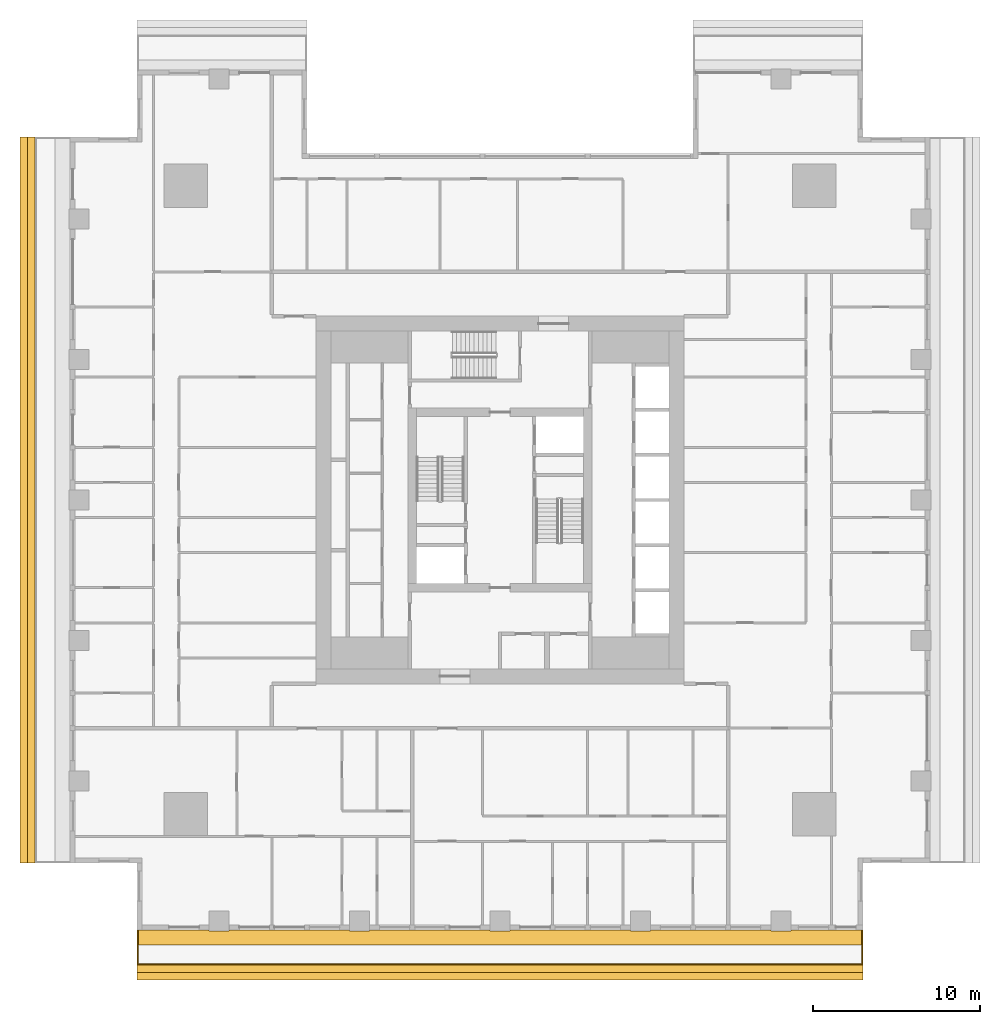
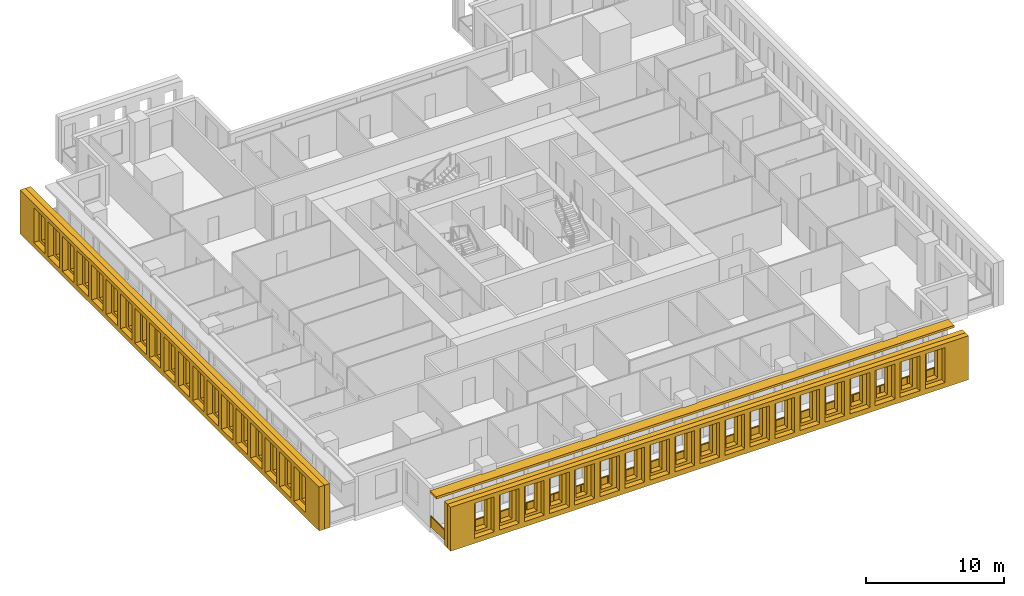
# One storey, part 11 of 16: 5 shading devices, 1 railing.
"""IFC4 building model written with IfcOpenShell, lengths in metres."""

from ifc_helpers import new_model, si_unit, direction, frame, origin, origin_2d, place, context, subcontext, project, spatial, polyline, rectangle, outline, extrude, material, layer, layer_set, type_object, element, save


model = new_model("IFC4")

# Units and contexts
model_context = context("Model", 3, precision=1e-05, world=origin(), true_north=direction((0.0, 1.0)))
body_context = subcontext(model_context, "Body", "Model", "MODEL_VIEW")
ifc_project = project(units=[si_unit("LENGTHUNIT", "METRE"), si_unit("AREAUNIT", "SQUARE_METRE"), si_unit("VOLUMEUNIT", "CUBIC_METRE"), si_unit("PLANEANGLEUNIT", "RADIAN"), si_unit("MASSUNIT", "GRAM", prefix="KILO")], contexts=[model_context])

# Site, building, storey
site_placement = place(None, origin())
site = spatial("IfcSite", under=ifc_project, at=site_placement, CompositionType="ELEMENT")
building_placement = place(site_placement, origin())
building = spatial("IfcBuilding", under=site, at=building_placement, Name="Khepri Terraces", CompositionType="ELEMENT")
storey_placement = place(building_placement, frame((0.0, 0.0, 168.89990234375)))
storey = spatial("IfcBuildingStorey", under=building, at=storey_placement, Name="L40", CompositionType="ELEMENT", Elevation=168.89990234375)

# Railing
ifc_material_1 = material(Name="Stainless steel grade 316", Category="steel")
railing_type = type_object("IfcRailingType", Name="GRD-BAL-1100", PredefinedType="GUARDRAIL", material=ifc_material_1)
railing_placement = place(storey_placement, frame((-21.669921875, -25.719970703125, 0.0)))
element("IfcRailing", 1, at=railing_placement, inside=storey, type_object=railing_type, Name="Balcony guard L40 S", PredefinedType="GUARDRAIL", context=body_context, shape_type="SweptSolid", body=[
    extrude(rectangle(XDim=0.050048828125, YDim=0.06005859375, at=origin_2d()), frame((0.0, 0.0, 1.070068359375), z_axis=(0.0, -1.0, 0.0), x_axis=(1.0, 0.0, 0.0)), (0.0, 0.0, 1.0), 2.050048828125),
    extrude(rectangle(XDim=2.0, YDim=0.011962890625, at=origin_2d()), frame((0.0, -1.02490234375, 0.10009765625), z_axis=(0.0, 0.0, 1.0), x_axis=(0.0, -1.0, 0.0)), (0.0, 0.0, 1.0), 0.93994140625),
    extrude(rectangle(XDim=0.050048828125, YDim=0.06005859375, at=origin_2d()), frame((0.0, -2.050048828125, 1.070068359375), z_axis=(1.0, 0.0, 0.0), x_axis=(0.0, 1.0, 0.0)), (0.0, 0.0, 1.0), 43.33984375),
    extrude(rectangle(XDim=2.23095703125, YDim=0.011962890625, at=origin_2d()), frame((1.140625, -2.050048828125, 0.10009765625), z_axis=(0.0, 0.0, 1.0), x_axis=(1.0, 0.0, 0.0)), (0.0, 0.0, 1.0), 0.93994140625),
    extrude(rectangle(XDim=2.23095703125, YDim=0.011962890625, at=origin_2d()), frame((3.421630859375, -2.050048828125, 0.10009765625), z_axis=(0.0, 0.0, 1.0), x_axis=(1.0, 0.0, 0.0)), (0.0, 0.0, 1.0), 0.93994140625),
    extrude(rectangle(XDim=2.23095703125, YDim=0.011962890625, at=origin_2d()), frame((5.70263671875, -2.050048828125, 0.10009765625), z_axis=(0.0, 0.0, 1.0), x_axis=(1.0, 0.0, 0.0)), (0.0, 0.0, 1.0), 0.93994140625),
    extrude(rectangle(XDim=2.23095703125, YDim=0.011962890625, at=origin_2d()), frame((7.983642578125, -2.050048828125, 0.10009765625), z_axis=(0.0, 0.0, 1.0), x_axis=(1.0, 0.0, 0.0)), (0.0, 0.0, 1.0), 0.93994140625),
    extrude(rectangle(XDim=2.23095703125, YDim=0.011962890625, at=origin_2d()), frame((10.2646484375, -2.050048828125, 0.10009765625), z_axis=(0.0, 0.0, 1.0), x_axis=(1.0, 0.0, 0.0)), (0.0, 0.0, 1.0), 0.93994140625),
    extrude(rectangle(XDim=2.23095703125, YDim=0.011962890625, at=origin_2d()), frame((12.545654296875, -2.050048828125, 0.10009765625), z_axis=(0.0, 0.0, 1.0), x_axis=(1.0, 0.0, 0.0)), (0.0, 0.0, 1.0), 0.93994140625),
    extrude(rectangle(XDim=2.23095703125, YDim=0.011962890625, at=origin_2d()), frame((14.826904296875, -2.050048828125, 0.10009765625), z_axis=(0.0, 0.0, 1.0), x_axis=(1.0, 0.0, 0.0)), (0.0, 0.0, 1.0), 0.93994140625),
    extrude(rectangle(XDim=2.23095703125, YDim=0.011962890625, at=origin_2d()), frame((17.10791015625, -2.050048828125, 0.10009765625), z_axis=(0.0, 0.0, 1.0), x_axis=(1.0, 0.0, 0.0)), (0.0, 0.0, 1.0), 0.93994140625),
    extrude(rectangle(XDim=2.23095703125, YDim=0.011962890625, at=origin_2d()), frame((19.388916015625, -2.050048828125, 0.10009765625), z_axis=(0.0, 0.0, 1.0), x_axis=(1.0, 0.0, 0.0)), (0.0, 0.0, 1.0), 0.93994140625),
    extrude(rectangle(XDim=2.23095703125, YDim=0.011962890625, at=origin_2d()), frame((21.669921875, -2.050048828125, 0.10009765625), z_axis=(0.0, 0.0, 1.0), x_axis=(1.0, 0.0, 0.0)), (0.0, 0.0, 1.0), 0.93994140625),
    extrude(rectangle(XDim=2.23095703125, YDim=0.011962890625, at=origin_2d()), frame((23.950927734375, -2.050048828125, 0.10009765625), z_axis=(0.0, 0.0, 1.0), x_axis=(1.0, 0.0, 0.0)), (0.0, 0.0, 1.0), 0.93994140625),
    extrude(rectangle(XDim=2.23095703125, YDim=0.011962890625, at=origin_2d()), frame((26.23193359375, -2.050048828125, 0.10009765625), z_axis=(0.0, 0.0, 1.0), x_axis=(1.0, 0.0, 0.0)), (0.0, 0.0, 1.0), 0.93994140625),
    extrude(rectangle(XDim=2.23095703125, YDim=0.011962890625, at=origin_2d()), frame((28.512939453125, -2.050048828125, 0.10009765625), z_axis=(0.0, 0.0, 1.0), x_axis=(1.0, 0.0, 0.0)), (0.0, 0.0, 1.0), 0.93994140625),
    extrude(rectangle(XDim=2.23095703125, YDim=0.011962890625, at=origin_2d()), frame((30.794189453125, -2.050048828125, 0.10009765625), z_axis=(0.0, 0.0, 1.0), x_axis=(1.0, 0.0, 0.0)), (0.0, 0.0, 1.0), 0.93994140625),
    extrude(rectangle(XDim=2.23095703125, YDim=0.011962890625, at=origin_2d()), frame((33.0751953125, -2.050048828125, 0.10009765625), z_axis=(0.0, 0.0, 1.0), x_axis=(1.0, 0.0, 0.0)), (0.0, 0.0, 1.0), 0.93994140625),
    extrude(rectangle(XDim=2.23095703125, YDim=0.011962890625, at=origin_2d()), frame((35.356201171875, -2.050048828125, 0.10009765625), z_axis=(0.0, 0.0, 1.0), x_axis=(1.0, 0.0, 0.0)), (0.0, 0.0, 1.0), 0.93994140625),
    extrude(rectangle(XDim=2.23095703125, YDim=0.011962890625, at=origin_2d()), frame((37.63720703125, -2.050048828125, 0.10009765625), z_axis=(0.0, 0.0, 1.0), x_axis=(1.0, 0.0, 0.0)), (0.0, 0.0, 1.0), 0.93994140625),
    extrude(rectangle(XDim=2.23095703125, YDim=0.011962890625, at=origin_2d()), frame((39.918212890625, -2.050048828125, 0.10009765625), z_axis=(0.0, 0.0, 1.0), x_axis=(1.0, 0.0, 0.0)), (0.0, 0.0, 1.0), 0.93994140625),
    extrude(rectangle(XDim=2.23095703125, YDim=0.011962890625, at=origin_2d()), frame((42.19921875, -2.050048828125, 0.10009765625), z_axis=(0.0, 0.0, 1.0), x_axis=(1.0, 0.0, 0.0)), (0.0, 0.0, 1.0), 0.93994140625),
    extrude(rectangle(XDim=0.050048828125, YDim=0.06005859375, at=origin_2d()), frame((43.33984375, -2.050048828125, 1.070068359375), z_axis=(0.0, 1.0, 0.0), x_axis=(-1.0, 0.0, 0.0)), (0.0, 0.0, 1.0), 2.050048828125),
    extrude(rectangle(XDim=2.0, YDim=0.011962890625, at=origin_2d()), frame((43.33984375, -1.02490234375, 0.10009765625), z_axis=(0.0, 0.0, 1.0), x_axis=(0.0, 1.0, 0.0)), (0.0, 0.0, 1.0), 0.93994140625),
    extrude(rectangle(XDim=0.050048828125, YDim=0.050048828125, at=origin_2d()), origin(), (0.0, 0.0, 1.0), 1.0400390625),
    extrude(rectangle(XDim=0.050048828125, YDim=0.050048828125, at=origin_2d()), frame((0.0, -2.050048828125, 0.0)), (0.0, 0.0, 1.0), 1.0400390625),
    extrude(rectangle(XDim=0.050048828125, YDim=0.050048828125, at=origin_2d()), frame((2.281005859375, -2.050048828125, 0.0)), (0.0, 0.0, 1.0), 1.0400390625),
    extrude(rectangle(XDim=0.050048828125, YDim=0.050048828125, at=origin_2d()), frame((4.56201171875, -2.050048828125, 0.0)), (0.0, 0.0, 1.0), 1.0400390625),
    extrude(rectangle(XDim=0.050048828125, YDim=0.050048828125, at=origin_2d()), frame((6.843017578125, -2.050048828125, 0.0)), (0.0, 0.0, 1.0), 1.0400390625),
    extrude(rectangle(XDim=0.050048828125, YDim=0.050048828125, at=origin_2d()), frame((9.124267578125, -2.050048828125, 0.0)), (0.0, 0.0, 1.0), 1.0400390625),
    extrude(rectangle(XDim=0.050048828125, YDim=0.050048828125, at=origin_2d()), frame((11.4052734375, -2.050048828125, 0.0)), (0.0, 0.0, 1.0), 1.0400390625),
    extrude(rectangle(XDim=0.050048828125, YDim=0.050048828125, at=origin_2d()), frame((13.686279296875, -2.050048828125, 0.0)), (0.0, 0.0, 1.0), 1.0400390625),
    extrude(rectangle(XDim=0.050048828125, YDim=0.050048828125, at=origin_2d()), frame((15.96728515625, -2.050048828125, 0.0)), (0.0, 0.0, 1.0), 1.0400390625),
    extrude(rectangle(XDim=0.050048828125, YDim=0.050048828125, at=origin_2d()), frame((18.248291015625, -2.050048828125, 0.0)), (0.0, 0.0, 1.0), 1.0400390625),
    extrude(rectangle(XDim=0.050048828125, YDim=0.050048828125, at=origin_2d()), frame((20.529296875, -2.050048828125, 0.0)), (0.0, 0.0, 1.0), 1.0400390625),
    extrude(rectangle(XDim=0.050048828125, YDim=0.050048828125, at=origin_2d()), frame((22.810546875, -2.050048828125, 0.0)), (0.0, 0.0, 1.0), 1.0400390625),
    extrude(rectangle(XDim=0.050048828125, YDim=0.050048828125, at=origin_2d()), frame((25.091552734375, -2.050048828125, 0.0)), (0.0, 0.0, 1.0), 1.0400390625),
    extrude(rectangle(XDim=0.050048828125, YDim=0.050048828125, at=origin_2d()), frame((27.37255859375, -2.050048828125, 0.0)), (0.0, 0.0, 1.0), 1.0400390625),
    extrude(rectangle(XDim=0.050048828125, YDim=0.050048828125, at=origin_2d()), frame((29.653564453125, -2.050048828125, 0.0)), (0.0, 0.0, 1.0), 1.0400390625),
    extrude(rectangle(XDim=0.050048828125, YDim=0.050048828125, at=origin_2d()), frame((31.9345703125, -2.050048828125, 0.0)), (0.0, 0.0, 1.0), 1.0400390625),
    extrude(rectangle(XDim=0.050048828125, YDim=0.050048828125, at=origin_2d()), frame((34.215576171875, -2.050048828125, 0.0)), (0.0, 0.0, 1.0), 1.0400390625),
    extrude(rectangle(XDim=0.050048828125, YDim=0.050048828125, at=origin_2d()), frame((36.496826171875, -2.050048828125, 0.0)), (0.0, 0.0, 1.0), 1.0400390625),
    extrude(rectangle(XDim=0.050048828125, YDim=0.050048828125, at=origin_2d()), frame((38.77783203125, -2.050048828125, 0.0)), (0.0, 0.0, 1.0), 1.0400390625),
    extrude(rectangle(XDim=0.050048828125, YDim=0.050048828125, at=origin_2d()), frame((41.058837890625, -2.050048828125, 0.0)), (0.0, 0.0, 1.0), 1.0400390625),
    extrude(rectangle(XDim=0.050048828125, YDim=0.050048828125, at=origin_2d()), frame((43.33984375, -2.050048828125, 0.0)), (0.0, 0.0, 1.0), 1.0400390625),
    extrude(rectangle(XDim=0.050048828125, YDim=0.050048828125, at=origin_2d()), frame((43.33984375, 0.0, 0.0)), (0.0, 0.0, 1.0), 1.0400390625),
])

# Shading devices
ifc_material_2 = material(Name="Precast concrete C50/60 warm stone", Category="masonry")
shading_device_type_1 = type_object("IfcShadingDeviceType", Name="SCR-CELL-INNER-450", PredefinedType="USERDEFINED", material=ifc_material_2)
shading_device_1_placement = place(storey_placement, frame((-21.719970703125, -27.820068359375, -0.25), z_axis=(0.0, -1.0, 0.0), x_axis=(1.0, 0.0, 0.0)))
element("IfcShadingDevice", 2, at=shading_device_1_placement, inside=storey, type_object=shading_device_type_1, Name="Cell screen L40 S in", ObjectType="SCREEN", PredefinedType="USERDEFINED", context=body_context, shape_type="SweptSolid", body=[
    extrude(outline(polyline([(0.0, 0.0), (43.43994140625, 0.0), (43.43994140625, 3.89990234375), (0.0, 3.89990234375), (0.0, 0.0)]), holes=[polyline([(0.24755859375, 0.699951171875), (1.1923828125, 0.699951171875), (1.1923828125, 3.300048828125), (0.24755859375, 3.300048828125), (0.24755859375, 0.699951171875)]), polyline([(2.347412109375, 0.699951171875), (3.29248046875, 0.699951171875), (3.29248046875, 3.300048828125), (2.347412109375, 3.300048828125), (2.347412109375, 0.699951171875)]), polyline([(4.447509765625, 0.699951171875), (5.392578125, 0.699951171875), (5.392578125, 3.300048828125), (4.447509765625, 3.300048828125), (4.447509765625, 0.699951171875)]), polyline([(6.547607421875, 0.699951171875), (7.492431640625, 0.699951171875), (7.492431640625, 3.300048828125), (6.547607421875, 3.300048828125), (6.547607421875, 0.699951171875)]), polyline([(8.6474609375, 0.699951171875), (9.592529296875, 0.699951171875), (9.592529296875, 3.300048828125), (8.6474609375, 3.300048828125), (8.6474609375, 0.699951171875)]), polyline([(10.74755859375, 0.699951171875), (11.6923828125, 0.699951171875), (11.6923828125, 3.300048828125), (10.74755859375, 3.300048828125), (10.74755859375, 0.699951171875)]), polyline([(12.847412109375, 0.699951171875), (13.79248046875, 0.699951171875), (13.79248046875, 3.300048828125), (12.847412109375, 3.300048828125), (12.847412109375, 0.699951171875)]), polyline([(14.947509765625, 0.699951171875), (15.892578125, 0.699951171875), (15.892578125, 3.300048828125), (14.947509765625, 3.300048828125), (14.947509765625, 0.699951171875)]), polyline([(17.047607421875, 0.699951171875), (17.992431640625, 0.699951171875), (17.992431640625, 3.300048828125), (17.047607421875, 3.300048828125), (17.047607421875, 0.699951171875)]), polyline([(19.1474609375, 0.699951171875), (20.092529296875, 0.699951171875), (20.092529296875, 3.300048828125), (19.1474609375, 3.300048828125), (19.1474609375, 0.699951171875)]), polyline([(21.24755859375, 0.699951171875), (22.1923828125, 0.699951171875), (22.1923828125, 3.300048828125), (21.24755859375, 3.300048828125), (21.24755859375, 0.699951171875)]), polyline([(23.347412109375, 0.699951171875), (24.29248046875, 0.699951171875), (24.29248046875, 3.300048828125), (23.347412109375, 3.300048828125), (23.347412109375, 0.699951171875)]), polyline([(25.447509765625, 0.699951171875), (26.392578125, 0.699951171875), (26.392578125, 3.300048828125), (25.447509765625, 3.300048828125), (25.447509765625, 0.699951171875)]), polyline([(27.547607421875, 0.699951171875), (28.492431640625, 0.699951171875), (28.492431640625, 3.300048828125), (27.547607421875, 3.300048828125), (27.547607421875, 0.699951171875)]), polyline([(29.6474609375, 0.699951171875), (30.592529296875, 0.699951171875), (30.592529296875, 3.300048828125), (29.6474609375, 3.300048828125), (29.6474609375, 0.699951171875)]), polyline([(31.74755859375, 0.699951171875), (32.6923828125, 0.699951171875), (32.6923828125, 3.300048828125), (31.74755859375, 3.300048828125), (31.74755859375, 0.699951171875)]), polyline([(33.847412109375, 0.699951171875), (34.79248046875, 0.699951171875), (34.79248046875, 3.300048828125), (33.847412109375, 3.300048828125), (33.847412109375, 0.699951171875)]), polyline([(35.947509765625, 0.699951171875), (36.892578125, 0.699951171875), (36.892578125, 3.300048828125), (35.947509765625, 3.300048828125), (35.947509765625, 0.699951171875)]), polyline([(38.047607421875, 0.699951171875), (38.992431640625, 0.699951171875), (38.992431640625, 3.300048828125), (38.047607421875, 3.300048828125), (38.047607421875, 0.699951171875)]), polyline([(40.1474609375, 0.699951171875), (41.092529296875, 0.699951171875), (41.092529296875, 3.300048828125), (40.1474609375, 3.300048828125), (40.1474609375, 0.699951171875)]), polyline([(42.24755859375, 0.699951171875), (43.1923828125, 0.699951171875), (43.1923828125, 3.300048828125), (42.24755859375, 3.300048828125), (42.24755859375, 0.699951171875)])]), origin(), (0.0, 0.0, 1.0), 0.449951171875),
])
shading_device_2_placement = place(storey_placement, frame((-27.820068359375, 21.719970703125, -0.25), z_axis=(-1.0, 0.0, 0.0), x_axis=(0.0, -1.0, 0.0)))
element("IfcShadingDevice", 3, at=shading_device_2_placement, inside=storey, type_object=shading_device_type_1, Name="Cell screen L40 W in", ObjectType="SCREEN", PredefinedType="USERDEFINED", context=body_context, shape_type="SweptSolid", body=[
    extrude(outline(polyline([(0.0, 0.0), (43.43994140625, 0.0), (43.43994140625, 3.89990234375), (0.0, 3.89990234375), (0.0, 0.0)]), holes=[polyline([(0.24755859375, 0.699951171875), (1.1923828125, 0.699951171875), (1.1923828125, 3.300048828125), (0.24755859375, 3.300048828125), (0.24755859375, 0.699951171875)]), polyline([(2.347412109375, 0.699951171875), (3.29248046875, 0.699951171875), (3.29248046875, 3.300048828125), (2.347412109375, 3.300048828125), (2.347412109375, 0.699951171875)]), polyline([(4.447509765625, 0.699951171875), (5.392578125, 0.699951171875), (5.392578125, 3.300048828125), (4.447509765625, 3.300048828125), (4.447509765625, 0.699951171875)]), polyline([(6.547607421875, 0.699951171875), (7.492431640625, 0.699951171875), (7.492431640625, 3.300048828125), (6.547607421875, 3.300048828125), (6.547607421875, 0.699951171875)]), polyline([(8.6474609375, 0.699951171875), (9.592529296875, 0.699951171875), (9.592529296875, 3.300048828125), (8.6474609375, 3.300048828125), (8.6474609375, 0.699951171875)]), polyline([(10.74755859375, 0.699951171875), (11.6923828125, 0.699951171875), (11.6923828125, 3.300048828125), (10.74755859375, 3.300048828125), (10.74755859375, 0.699951171875)]), polyline([(12.847412109375, 0.699951171875), (13.79248046875, 0.699951171875), (13.79248046875, 3.300048828125), (12.847412109375, 3.300048828125), (12.847412109375, 0.699951171875)]), polyline([(14.947509765625, 0.699951171875), (15.892578125, 0.699951171875), (15.892578125, 3.300048828125), (14.947509765625, 3.300048828125), (14.947509765625, 0.699951171875)]), polyline([(17.047607421875, 0.699951171875), (17.992431640625, 0.699951171875), (17.992431640625, 3.300048828125), (17.047607421875, 3.300048828125), (17.047607421875, 0.699951171875)]), polyline([(19.1474609375, 0.699951171875), (20.092529296875, 0.699951171875), (20.092529296875, 3.300048828125), (19.1474609375, 3.300048828125), (19.1474609375, 0.699951171875)]), polyline([(21.24755859375, 0.699951171875), (22.1923828125, 0.699951171875), (22.1923828125, 3.300048828125), (21.24755859375, 3.300048828125), (21.24755859375, 0.699951171875)]), polyline([(23.347412109375, 0.699951171875), (24.29248046875, 0.699951171875), (24.29248046875, 3.300048828125), (23.347412109375, 3.300048828125), (23.347412109375, 0.699951171875)]), polyline([(25.447509765625, 0.699951171875), (26.392578125, 0.699951171875), (26.392578125, 3.300048828125), (25.447509765625, 3.300048828125), (25.447509765625, 0.699951171875)]), polyline([(27.547607421875, 0.699951171875), (28.492431640625, 0.699951171875), (28.492431640625, 3.300048828125), (27.547607421875, 3.300048828125), (27.547607421875, 0.699951171875)]), polyline([(29.6474609375, 0.699951171875), (30.592529296875, 0.699951171875), (30.592529296875, 3.300048828125), (29.6474609375, 3.300048828125), (29.6474609375, 0.699951171875)]), polyline([(31.74755859375, 0.699951171875), (32.6923828125, 0.699951171875), (32.6923828125, 3.300048828125), (31.74755859375, 3.300048828125), (31.74755859375, 0.699951171875)]), polyline([(33.847412109375, 0.699951171875), (34.79248046875, 0.699951171875), (34.79248046875, 3.300048828125), (33.847412109375, 3.300048828125), (33.847412109375, 0.699951171875)]), polyline([(35.947509765625, 0.699951171875), (36.892578125, 0.699951171875), (36.892578125, 3.300048828125), (35.947509765625, 3.300048828125), (35.947509765625, 0.699951171875)]), polyline([(38.047607421875, 0.699951171875), (38.992431640625, 0.699951171875), (38.992431640625, 3.300048828125), (38.047607421875, 3.300048828125), (38.047607421875, 0.699951171875)]), polyline([(40.1474609375, 0.699951171875), (41.092529296875, 0.699951171875), (41.092529296875, 3.300048828125), (40.1474609375, 3.300048828125), (40.1474609375, 0.699951171875)]), polyline([(42.24755859375, 0.699951171875), (43.1923828125, 0.699951171875), (43.1923828125, 3.300048828125), (42.24755859375, 3.300048828125), (42.24755859375, 0.699951171875)])]), origin(), (0.0, 0.0, 1.0), 0.449951171875),
])
shading_device_type_2 = type_object("IfcShadingDeviceType", Name="SCR-CELL-OUTER-450", PredefinedType="USERDEFINED", material=ifc_material_2)
shading_device_3_placement = place(storey_placement, frame((-21.719970703125, -28.27001953125, -0.25), z_axis=(0.0, -1.0, 0.0), x_axis=(1.0, 0.0, 0.0)))
element("IfcShadingDevice", 4, at=shading_device_3_placement, inside=storey, type_object=shading_device_type_2, Name="Cell screen L40 S out", ObjectType="SCREEN", PredefinedType="USERDEFINED", context=body_context, shape_type="SweptSolid", body=[
    extrude(outline(polyline([(0.0, 0.0), (43.43994140625, 0.0), (43.43994140625, 3.89990234375), (0.0, 3.89990234375), (0.0, 0.0)]), holes=[polyline([(1.99755859375, 0.449951171875), (3.642578125, 0.449951171875), (3.642578125, 3.550048828125), (1.99755859375, 3.550048828125), (1.99755859375, 0.449951171875)]), polyline([(4.097412109375, 0.449951171875), (5.742431640625, 0.449951171875), (5.742431640625, 3.550048828125), (4.097412109375, 3.550048828125), (4.097412109375, 0.449951171875)]), polyline([(6.197509765625, 0.449951171875), (7.842529296875, 0.449951171875), (7.842529296875, 3.550048828125), (6.197509765625, 3.550048828125), (6.197509765625, 0.449951171875)]), polyline([(8.297607421875, 0.449951171875), (9.9423828125, 0.449951171875), (9.9423828125, 3.550048828125), (8.297607421875, 3.550048828125), (8.297607421875, 0.449951171875)]), polyline([(10.3974609375, 0.449951171875), (12.04248046875, 0.449951171875), (12.04248046875, 3.550048828125), (10.3974609375, 3.550048828125), (10.3974609375, 0.449951171875)]), polyline([(12.49755859375, 0.449951171875), (14.142578125, 0.449951171875), (14.142578125, 3.550048828125), (12.49755859375, 3.550048828125), (12.49755859375, 0.449951171875)]), polyline([(14.597412109375, 0.449951171875), (16.242431640625, 0.449951171875), (16.242431640625, 3.550048828125), (14.597412109375, 3.550048828125), (14.597412109375, 0.449951171875)]), polyline([(16.697509765625, 0.449951171875), (18.342529296875, 0.449951171875), (18.342529296875, 3.550048828125), (16.697509765625, 3.550048828125), (16.697509765625, 0.449951171875)]), polyline([(18.797607421875, 0.449951171875), (20.4423828125, 0.449951171875), (20.4423828125, 3.550048828125), (18.797607421875, 3.550048828125), (18.797607421875, 0.449951171875)]), polyline([(20.8974609375, 0.449951171875), (22.54248046875, 0.449951171875), (22.54248046875, 3.550048828125), (20.8974609375, 3.550048828125), (20.8974609375, 0.449951171875)]), polyline([(22.99755859375, 0.449951171875), (24.642578125, 0.449951171875), (24.642578125, 3.550048828125), (22.99755859375, 3.550048828125), (22.99755859375, 0.449951171875)]), polyline([(25.097412109375, 0.449951171875), (26.742431640625, 0.449951171875), (26.742431640625, 3.550048828125), (25.097412109375, 3.550048828125), (25.097412109375, 0.449951171875)]), polyline([(27.197509765625, 0.449951171875), (28.842529296875, 0.449951171875), (28.842529296875, 3.550048828125), (27.197509765625, 3.550048828125), (27.197509765625, 0.449951171875)]), polyline([(29.297607421875, 0.449951171875), (30.9423828125, 0.449951171875), (30.9423828125, 3.550048828125), (29.297607421875, 3.550048828125), (29.297607421875, 0.449951171875)]), polyline([(31.3974609375, 0.449951171875), (33.04248046875, 0.449951171875), (33.04248046875, 3.550048828125), (31.3974609375, 3.550048828125), (31.3974609375, 0.449951171875)]), polyline([(33.49755859375, 0.449951171875), (35.142578125, 0.449951171875), (35.142578125, 3.550048828125), (33.49755859375, 3.550048828125), (33.49755859375, 0.449951171875)]), polyline([(35.597412109375, 0.449951171875), (37.242431640625, 0.449951171875), (37.242431640625, 3.550048828125), (35.597412109375, 3.550048828125), (35.597412109375, 0.449951171875)]), polyline([(37.697509765625, 0.449951171875), (39.342529296875, 0.449951171875), (39.342529296875, 3.550048828125), (37.697509765625, 3.550048828125), (37.697509765625, 0.449951171875)]), polyline([(39.797607421875, 0.449951171875), (41.4423828125, 0.449951171875), (41.4423828125, 3.550048828125), (39.797607421875, 3.550048828125), (39.797607421875, 0.449951171875)])]), origin(), (0.0, 0.0, 1.0), 0.449951171875),
])
shading_device_4_placement = place(storey_placement, frame((-28.27001953125, 21.719970703125, -0.25), z_axis=(-1.0, 0.0, 0.0), x_axis=(0.0, -1.0, 0.0)))
element("IfcShadingDevice", 5, at=shading_device_4_placement, inside=storey, type_object=shading_device_type_2, Name="Cell screen L40 W out", ObjectType="SCREEN", PredefinedType="USERDEFINED", context=body_context, shape_type="SweptSolid", body=[
    extrude(outline(polyline([(0.0, 0.0), (43.43994140625, 0.0), (43.43994140625, 3.89990234375), (0.0, 3.89990234375), (0.0, 0.0)]), holes=[polyline([(1.99755859375, 0.449951171875), (3.642578125, 0.449951171875), (3.642578125, 3.550048828125), (1.99755859375, 3.550048828125), (1.99755859375, 0.449951171875)]), polyline([(4.097412109375, 0.449951171875), (5.742431640625, 0.449951171875), (5.742431640625, 3.550048828125), (4.097412109375, 3.550048828125), (4.097412109375, 0.449951171875)]), polyline([(6.197509765625, 0.449951171875), (7.842529296875, 0.449951171875), (7.842529296875, 3.550048828125), (6.197509765625, 3.550048828125), (6.197509765625, 0.449951171875)]), polyline([(8.297607421875, 0.449951171875), (9.9423828125, 0.449951171875), (9.9423828125, 3.550048828125), (8.297607421875, 3.550048828125), (8.297607421875, 0.449951171875)]), polyline([(10.3974609375, 0.449951171875), (12.04248046875, 0.449951171875), (12.04248046875, 3.550048828125), (10.3974609375, 3.550048828125), (10.3974609375, 0.449951171875)]), polyline([(12.49755859375, 0.449951171875), (14.142578125, 0.449951171875), (14.142578125, 3.550048828125), (12.49755859375, 3.550048828125), (12.49755859375, 0.449951171875)]), polyline([(14.597412109375, 0.449951171875), (16.242431640625, 0.449951171875), (16.242431640625, 3.550048828125), (14.597412109375, 3.550048828125), (14.597412109375, 0.449951171875)]), polyline([(16.697509765625, 0.449951171875), (18.342529296875, 0.449951171875), (18.342529296875, 3.550048828125), (16.697509765625, 3.550048828125), (16.697509765625, 0.449951171875)]), polyline([(18.797607421875, 0.449951171875), (20.4423828125, 0.449951171875), (20.4423828125, 3.550048828125), (18.797607421875, 3.550048828125), (18.797607421875, 0.449951171875)]), polyline([(20.8974609375, 0.449951171875), (22.54248046875, 0.449951171875), (22.54248046875, 3.550048828125), (20.8974609375, 3.550048828125), (20.8974609375, 0.449951171875)]), polyline([(22.99755859375, 0.449951171875), (24.642578125, 0.449951171875), (24.642578125, 3.550048828125), (22.99755859375, 3.550048828125), (22.99755859375, 0.449951171875)]), polyline([(25.097412109375, 0.449951171875), (26.742431640625, 0.449951171875), (26.742431640625, 3.550048828125), (25.097412109375, 3.550048828125), (25.097412109375, 0.449951171875)]), polyline([(27.197509765625, 0.449951171875), (28.842529296875, 0.449951171875), (28.842529296875, 3.550048828125), (27.197509765625, 3.550048828125), (27.197509765625, 0.449951171875)]), polyline([(29.297607421875, 0.449951171875), (30.9423828125, 0.449951171875), (30.9423828125, 3.550048828125), (29.297607421875, 3.550048828125), (29.297607421875, 0.449951171875)]), polyline([(31.3974609375, 0.449951171875), (33.04248046875, 0.449951171875), (33.04248046875, 3.550048828125), (31.3974609375, 3.550048828125), (31.3974609375, 0.449951171875)]), polyline([(33.49755859375, 0.449951171875), (35.142578125, 0.449951171875), (35.142578125, 3.550048828125), (33.49755859375, 3.550048828125), (33.49755859375, 0.449951171875)]), polyline([(35.597412109375, 0.449951171875), (37.242431640625, 0.449951171875), (37.242431640625, 3.550048828125), (35.597412109375, 3.550048828125), (35.597412109375, 0.449951171875)]), polyline([(37.697509765625, 0.449951171875), (39.342529296875, 0.449951171875), (39.342529296875, 3.550048828125), (37.697509765625, 3.550048828125), (37.697509765625, 0.449951171875)]), polyline([(39.797607421875, 0.449951171875), (41.4423828125, 0.449951171875), (41.4423828125, 3.550048828125), (39.797607421875, 3.550048828125), (39.797607421875, 0.449951171875)])]), origin(), (0.0, 0.0, 1.0), 0.449951171875),
])
ifc_layer = layer(ifc_material_2, 0.199951171875, Name="Precast concrete C50/60 warm stone", Category="masonry")
ifc_layer_set = layer_set([ifc_layer], Name="Precast concrete C50/60 warm stone")
shading_device_type_3 = type_object("IfcShadingDeviceType", Name="SSH-BAND-STONE-200", PredefinedType="USERDEFINED", material=ifc_layer_set)
shading_device_5_placement = place(storey_placement, frame((0.0, 0.0, 3.10009765625)))
element("IfcShadingDevice", 6, at=shading_device_5_placement, inside=storey, type_object=shading_device_type_3, Name="Sunshade band L40 S", ObjectType="SUNSHADE", PredefinedType="USERDEFINED", context=body_context, shape_type="SweptSolid", body=[
    extrude(outline(polyline([(-17.39990234375, -25.719970703125), (-21.719970703125, -25.719970703125), (-21.719970703125, -26.6201171875), (21.719970703125, -26.6201171875), (21.719970703125, -25.719970703125), (17.39990234375, -25.719970703125), (17.39990234375, -25.800048828125), (16.199951171875, -25.800048828125), (16.199951171875, -25.719970703125), (9.0, -25.719970703125), (9.0, -25.800048828125), (7.800048828125, -25.800048828125), (7.800048828125, -25.719970703125), (0.60009765625, -25.719970703125), (0.60009765625, -25.800048828125), (-0.60009765625, -25.800048828125), (-0.60009765625, -25.719970703125), (-7.800048828125, -25.719970703125), (-7.800048828125, -25.800048828125), (-9.0, -25.800048828125), (-9.0, -25.719970703125), (-16.199951171875, -25.719970703125), (-16.199951171875, -25.800048828125), (-17.39990234375, -25.800048828125), (-17.39990234375, -25.719970703125)])), origin(), (0.0, 0.0, 1.0), 0.199951171875),
])

save(model, "model.ifc")
